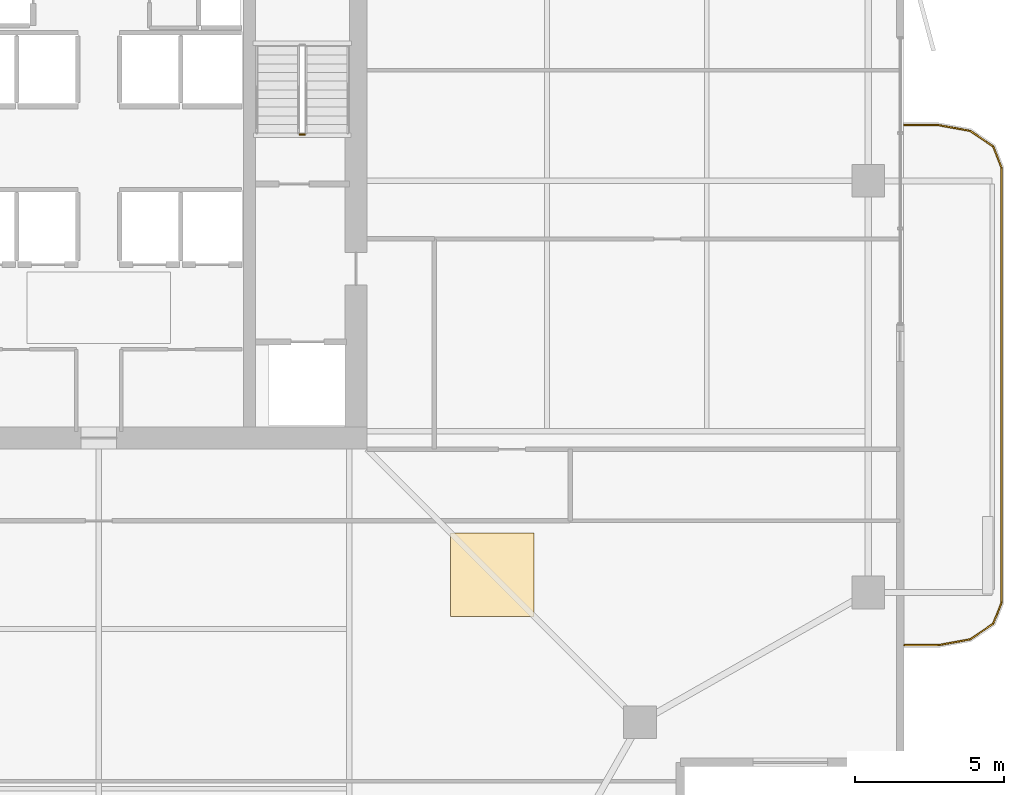
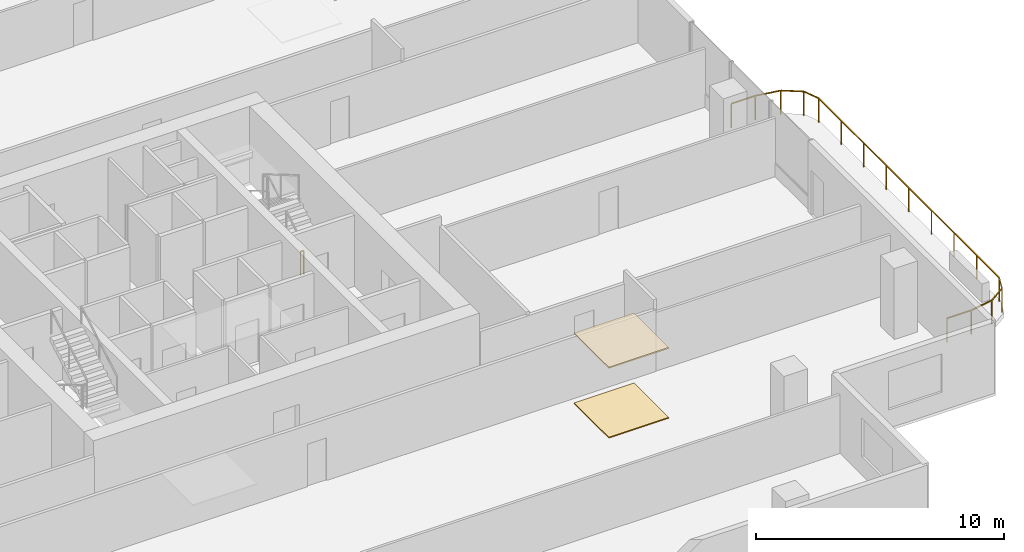
# One storey, part 22 of 24: 2 coverings, 2 railings.
"""IFC4 building model written with IfcOpenShell, lengths in metres."""

import ifcopenshell
import ifcopenshell.guid

model = None  # the IFC model being written
_history = None  # IfcOwnerHistory: only IFC2X3 demands one
_inside = {}  # id of a spatial element -> (the spatial element, [elements in it])
_under = {}  # id of a project, library or spatial element -> (it, [spatial elements below it])
_declared = {}  # id of a project -> (the project, [libraries it declares])
_typed = {}  # id of a type object -> (the type object, [elements of that type])
_made_of = {}  # id of a material, layer set ... -> (it, [elements and type objects made of it])


def new_model(schema):
    """Start an empty IFC model of exactly this schema.

    Asked for "IFC4X3", IfcOpenShell would pick the latest addendum, in which some entities
    have other attributes; the version numbers below select the first issue.
    IFC2X3 requires an IfcOwnerHistory on every rooted entity: one is made here for all.
    """
    global model, _history
    if schema == "IFC4X3":
        model = ifcopenshell.file(schema_version=(4, 3, 0, 0))
    else:
        model = ifcopenshell.file(schema=schema)
    _inside.clear()
    _under.clear()
    _declared.clear()
    _typed.clear()
    _made_of.clear()
    _history = None
    if model.schema == "IFC2X3":
        org = make("IfcOrganization", Name="unknown")
        user = make(
            "IfcPersonAndOrganization",
            ThePerson=make("IfcPerson", FamilyName="unknown"),
            TheOrganization=org,
        )
        app = make(
            "IfcApplication",
            ApplicationDeveloper=org,
            Version="unknown",
            ApplicationFullName="unknown",
            ApplicationIdentifier="unknown",
        )
        _history = make(
            "IfcOwnerHistory",
            OwningUser=user,
            OwningApplication=app,
            ChangeAction="ADDED",
            CreationDate=0,
        )
    return model


def make(cls, **values):
    """One entity of the class cls with the attributes given. An attribute that is None is left unset."""
    return model.create_entity(
        cls, **{name: value for name, value in values.items() if value is not None}
    )


def rooted(cls, **values):
    """An entity with a GlobalId (a new one), such as an element, a storey or a relation."""
    return make(cls, GlobalId=ifcopenshell.guid.new(), OwnerHistory=_history, **values)


def si_unit(unit_type, name, prefix=None):
    """IfcSIUnit, for example si_unit("LENGTHUNIT", "METRE", prefix="MILLI")."""
    return make("IfcSIUnit", UnitType=unit_type, Prefix=prefix, Name=name)


def assignment(units):
    """IfcUnitAssignment: the units of a project."""
    return None if units is None else make("IfcUnitAssignment", Units=units)


def point(xyz):
    """IfcCartesianPoint."""
    return None if xyz is None else make("IfcCartesianPoint", Coordinates=xyz)


def direction(xyz):
    """IfcDirection."""
    return None if xyz is None else make("IfcDirection", DirectionRatios=xyz)


def frame(location, z_axis=None, x_axis=None):
    """IfcAxis2Placement3D, a coordinate frame: its origin and axes. An axis left out is left unset."""
    return make(
        "IfcAxis2Placement3D",
        Location=point(location),
        Axis=direction(z_axis),
        RefDirection=direction(x_axis),
    )


def frame_2d(location, x_axis=None):
    """IfcAxis2Placement2D, a coordinate frame in the plane: its origin and x axis."""
    return make(
        "IfcAxis2Placement2D", Location=point(location), RefDirection=direction(x_axis)
    )


def origin():
    """The frame at (0, 0, 0) with its axes left unset."""
    return frame((0.0, 0.0, 0.0))


def origin_2d():
    """The frame at (0, 0) in the plane with its x axis left unset."""
    return frame_2d((0.0, 0.0))


def place(relative_to, where):
    """IfcLocalPlacement: puts the frame where relative to a parent placement (None: the world)."""
    return make(
        "IfcLocalPlacement", PlacementRelTo=relative_to, RelativePlacement=where
    )


def context(
    kind, dimensions, precision=None, world=None, true_north=None, identifier=None
):
    """IfcGeometricRepresentationContext, for example the 3D "Model" context."""
    return make(
        "IfcGeometricRepresentationContext",
        ContextIdentifier=identifier,
        ContextType=kind,
        CoordinateSpaceDimension=dimensions,
        Precision=precision,
        WorldCoordinateSystem=world,
        TrueNorth=true_north,
    )


def subcontext(parent, identifier, kind, view, scale=None):
    """IfcGeometricRepresentationSubContext, for example "Body" below "Model"."""
    return make(
        "IfcGeometricRepresentationSubContext",
        ContextIdentifier=identifier,
        ContextType=kind,
        ParentContext=parent,
        TargetScale=scale,
        TargetView=view,
    )


def project(units=None, contexts=None):
    """IfcProject with its units and contexts."""
    return rooted(
        "IfcProject",
        Name="project",
        RepresentationContexts=contexts,
        UnitsInContext=assignment(units),
    )


def spatial(cls, under=None, at=None, **own):
    """A site, building, storey or space (cls), placed at a placement, below another one or the project."""
    s = rooted(cls, ObjectPlacement=at, **own)
    if under is not None:
        _under.setdefault(under.id(), (under, []))[1].append(s)
    return s


def polyline(points):
    """IfcPolyline through the points."""
    return make("IfcPolyline", Points=[point(p) for p in points])


def profile(cls, at=None, kind="AREA", **sizes):
    """A parametric profile (cls). Its sizes go by their IFC names, for example OverallWidth=200.0."""
    return make(cls, ProfileType=kind, Position=at, **sizes)


def rectangle(**sizes):
    """IfcRectangleProfileDef."""
    return profile("IfcRectangleProfileDef", **sizes)


def outline(outer, holes=None, kind="AREA"):
    """IfcArbitraryClosedProfileDef: a profile drawn as a closed curve; with holes, ...WithVoids."""
    if holes is None:
        return make("IfcArbitraryClosedProfileDef", ProfileType=kind, OuterCurve=outer)
    return make(
        "IfcArbitraryProfileDefWithVoids",
        ProfileType=kind,
        OuterCurve=outer,
        InnerCurves=holes,
    )


def extrude(swept, where, along, depth):
    """IfcExtrudedAreaSolid: the profile swept, set in the frame where, extruded along a direction by depth."""
    return make(
        "IfcExtrudedAreaSolid",
        SweptArea=swept,
        Position=where,
        ExtrudedDirection=direction(along),
        Depth=depth,
    )


def shape(context_of_items, identifier, shape_type, items):
    """IfcShapeRepresentation: the items that make up one representation, for example the "Body"."""
    return make(
        "IfcShapeRepresentation",
        ContextOfItems=context_of_items,
        RepresentationIdentifier=identifier,
        RepresentationType=shape_type,
        Items=items,
    )


def material(Name=None, Category=None):
    """IfcMaterial."""
    return make("IfcMaterial", Name=Name, Category=Category)


def layer(
    of_material, thickness, ventilated=None, Name=None, Category=None, Priority=None
):
    """IfcMaterialLayer: one layer of a wall or slab, of a material (None: an air gap)."""
    return make(
        "IfcMaterialLayer",
        Material=of_material,
        LayerThickness=thickness,
        IsVentilated=ventilated,
        Name=Name,
        Category=Category,
        Priority=Priority,
    )


def layer_set(layers, Name=None):
    """IfcMaterialLayerSet."""
    return make("IfcMaterialLayerSet", MaterialLayers=layers, LayerSetName=Name)


def made_of(thing, what):
    """Note that an element or type object is made of a material, layer set ...; save() writes the relation."""
    if what is not None:
        _made_of.setdefault(what.id(), (what, []))[1].append(thing)
    return thing


def type_object(cls, material=None, **own):
    """A type object (cls), such as IfcWallType, which elements share."""
    return made_of(rooted(cls, **own), material)


def element(
    cls,
    number,
    at=None,
    inside=None,
    cuts=None,
    type_object=None,
    material=None,
    context=None,
    identifier="Body",
    shape_type=None,
    held_by="IfcProductDefinitionShape",
    body=None,
    shapes=None,
    **own,
):
    """One element of the class cls, such as IfcWall. Its Tag is "e" and its number.

    at: its placement. inside: the storey or other place that contains it. cuts: it is an
    opening in that element (IfcRelVoidsElement). A single representation is given by context,
    identifier, shape_type and body (its items); several are given by shapes. held_by: the class
    of the entity that holds the representations. save() writes the other relations.
    """
    e = rooted(cls, Tag="e%d" % number, ObjectPlacement=at, **own)
    if body is not None:
        shapes = [shape(context, identifier, shape_type, body)]
    if shapes is not None:
        e.Representation = make(held_by, Representations=shapes)
    if inside is not None:
        _inside.setdefault(inside.id(), (inside, []))[1].append(e)
    if cuts is not None:
        rooted(
            "IfcRelVoidsElement", RelatingBuildingElement=cuts, RelatedOpeningElement=e
        )
    if type_object is not None:
        _typed.setdefault(type_object.id(), (type_object, []))[1].append(e)
    return made_of(e, material)


def aggregate(whole, parts):
    """IfcRelAggregates: a whole, such as a stair, and the parts it consists of."""
    return rooted("IfcRelAggregates", RelatingObject=whole, RelatedObjects=parts)


def save(model, path):
    """Write the relations noted so far, then the file.

    IfcRelAggregates (storeys below a building ...), IfcRelContainedInSpatialStructure (elements
    in a storey), IfcRelDefinesByType, IfcRelAssociatesMaterial and IfcRelDeclares: one each for
    every whole, place, type object, material and project.
    """
    for whole, parts in _under.values():
        aggregate(whole, parts)
    for where, things in _inside.values():
        rooted(
            "IfcRelContainedInSpatialStructure",
            RelatedElements=things,
            RelatingStructure=where,
        )
    for kind, things in _typed.values():
        rooted("IfcRelDefinesByType", RelatedObjects=things, RelatingType=kind)
    for what, things in _made_of.values():
        rooted("IfcRelAssociatesMaterial", RelatedObjects=things, RelatingMaterial=what)
    for by, libraries in _declared.values():
        rooted("IfcRelDeclares", RelatingContext=by, RelatedDefinitions=libraries)
    model.write(path)


model = new_model("IFC4")

# Units and contexts
model_context = context("Model", 3, precision=1e-05, world=origin(), true_north=direction((0.0, 1.0)))
body_context = subcontext(model_context, "Body", "Model", "MODEL_VIEW")
ifc_project = project(units=[si_unit("LENGTHUNIT", "METRE"), si_unit("AREAUNIT", "SQUARE_METRE"), si_unit("VOLUMEUNIT", "CUBIC_METRE"), si_unit("PLANEANGLEUNIT", "RADIAN"), si_unit("MASSUNIT", "GRAM", prefix="KILO")], contexts=[model_context])

# Site, building, storey
site_placement = place(None, origin())
site = spatial("IfcSite", under=ifc_project, at=site_placement, CompositionType="ELEMENT")
building_placement = place(site_placement, origin())
building = spatial("IfcBuilding", under=site, at=building_placement, Name="Belovzor Exchange Tower", CompositionType="ELEMENT")
storey_placement = place(building_placement, frame((0.0, 0.0, 207.449951171875)))
storey = spatial("IfcBuildingStorey", under=building, at=storey_placement, Name="L51", CompositionType="ELEMENT", Elevation=207.449951171875)

# Railings
ifc_material_1 = material(Name="Stainless Steel and Laminated Safety Glass", Category="steel")
railing_type_1 = type_object("IfcRailingType", Name="Laminated Glass & Stainless Steel Balcony Balustrade 1200", PredefinedType="BALUSTRADE", material=ifc_material_1)
railing_1_placement = place(storey_placement, frame((55.81005859375, 13.22998046875, 0.0)))
element("IfcRailing", 1, at=railing_1_placement, inside=storey, type_object=railing_type_1, Name="GR-1 Balcony Balustrade L51 East", PredefinedType="BALUSTRADE", context=body_context, shape_type="SweptSolid", body=[
    extrude(rectangle(XDim=0.048095703125, YDim=0.048095703125, at=origin_2d()), frame((0.0, 0.0, 1.17578125), z_axis=(1.0, 0.0, 0.0), x_axis=(0.0, 1.0, 0.0)), (0.0, 0.0, 1.0), 1.133056640625),
    extrude(rectangle(XDim=0.048095703125, YDim=0.048095703125, at=origin_2d()), frame((1.133056640625, 0.0, 1.17578125), z_axis=(0.983644145941, 0.180122719713, 0.0), x_axis=(-0.180122719713, 0.983644145941, 0.0)), (0.0, 0.0, 1.0), 1.09375),
    extrude(rectangle(XDim=0.048095703125, YDim=0.048095703125, at=origin_2d()), frame((2.208984375, 0.197021484375, 1.17578125), z_axis=(0.826614792125, 0.562768145367, 0.0), x_axis=(-0.562768145367, 0.826614792125, 0.0)), (0.0, 0.0, 1.0), 0.9326171875),
    extrude(rectangle(XDim=0.048095703125, YDim=0.048095703125, at=origin_2d()), frame((2.97998046875, 0.721923828125, 1.17578125), z_axis=(0.365504480807, 0.930809580156, 0.0), x_axis=(-0.930809580156, 0.365504480807, 0.0)), (0.0, 0.0, 1.0), 0.76611328125),
    extrude(rectangle(XDim=0.048095703125, YDim=0.048095703125, at=origin_2d()), frame((3.260009765625, 1.43505859375, 1.17578125), z_axis=(0.0, 1.0, 0.0), x_axis=(-1.0, 0.0, 0.0)), (0.0, 0.0, 1.0), 14.570068359375),
    extrude(rectangle(XDim=0.048095703125, YDim=0.048095703125, at=origin_2d()), frame((3.260009765625, 16.005126953125, 1.17578125), z_axis=(-0.365612923861, 0.930766990125, 0.0), x_axis=(-0.930766990125, -0.365612923861, 0.0)), (0.0, 0.0, 1.0), 0.765869140625),
    extrude(rectangle(XDim=0.048095703125, YDim=0.048095703125, at=origin_2d()), frame((2.97998046875, 16.718017578125, 1.17578125), z_axis=(-0.826614792125, 0.562768145367, 0.0), x_axis=(-0.562768145367, -0.826614792125, 0.0)), (0.0, 0.0, 1.0), 0.9326171875),
    extrude(rectangle(XDim=0.048095703125, YDim=0.048095703125, at=origin_2d()), frame((2.208984375, 17.242919921875, 1.17578125), z_axis=(-0.983644145941, 0.180122719713, 0.0), x_axis=(-0.180122719713, -0.983644145941, 0.0)), (0.0, 0.0, 1.0), 1.09375),
    extrude(rectangle(XDim=0.048095703125, YDim=0.048095703125, at=origin_2d()), frame((1.133056640625, 17.43994140625, 1.17578125), z_axis=(-1.0, 0.0, 0.0), x_axis=(0.0, -1.0, 0.0)), (0.0, 0.0, 1.0), 1.133056640625),
    extrude(rectangle(XDim=0.0419921875, YDim=0.0419921875, at=origin_2d()), origin(), (0.0, 0.0, 1.0), 1.15185546875),
    extrude(rectangle(XDim=0.0419921875, YDim=0.0419921875, at=origin_2d()), frame((1.133056640625, 0.0, 0.0)), (0.0, 0.0, 1.0), 1.15185546875),
    extrude(rectangle(XDim=0.0419921875, YDim=0.0419921875, at=origin_2d()), frame((2.208984375, 0.197021484375, 0.0)), (0.0, 0.0, 1.0), 1.15185546875),
    extrude(rectangle(XDim=0.0419921875, YDim=0.0419921875, at=origin_2d()), frame((2.97998046875, 0.721923828125, 0.0)), (0.0, 0.0, 1.0), 1.15185546875),
    extrude(rectangle(XDim=0.0419921875, YDim=0.0419921875, at=origin_2d()), frame((3.260009765625, 1.43505859375, 0.0)), (0.0, 0.0, 1.0), 1.15185546875),
    extrude(rectangle(XDim=0.0419921875, YDim=0.0419921875, at=origin_2d()), frame((3.260009765625, 3.25634765625, 0.0)), (0.0, 0.0, 1.0), 1.15185546875),
    extrude(rectangle(XDim=0.0419921875, YDim=0.0419921875, at=origin_2d()), frame((3.260009765625, 5.07763671875, 0.0)), (0.0, 0.0, 1.0), 1.15185546875),
    extrude(rectangle(XDim=0.0419921875, YDim=0.0419921875, at=origin_2d()), frame((3.260009765625, 6.89892578125, 0.0)), (0.0, 0.0, 1.0), 1.15185546875),
    extrude(rectangle(XDim=0.0419921875, YDim=0.0419921875, at=origin_2d()), frame((3.260009765625, 8.72021484375, 0.0)), (0.0, 0.0, 1.0), 1.15185546875),
    extrude(rectangle(XDim=0.0419921875, YDim=0.0419921875, at=origin_2d()), frame((3.260009765625, 10.541259765625, 0.0)), (0.0, 0.0, 1.0), 1.15185546875),
    extrude(rectangle(XDim=0.0419921875, YDim=0.0419921875, at=origin_2d()), frame((3.260009765625, 12.362548828125, 0.0)), (0.0, 0.0, 1.0), 1.15185546875),
    extrude(rectangle(XDim=0.0419921875, YDim=0.0419921875, at=origin_2d()), frame((3.260009765625, 14.183837890625, 0.0)), (0.0, 0.0, 1.0), 1.15185546875),
    extrude(rectangle(XDim=0.0419921875, YDim=0.0419921875, at=origin_2d()), frame((3.260009765625, 16.005126953125, 0.0)), (0.0, 0.0, 1.0), 1.15185546875),
    extrude(rectangle(XDim=0.0419921875, YDim=0.0419921875, at=origin_2d()), frame((2.97998046875, 16.718017578125, 0.0)), (0.0, 0.0, 1.0), 1.15185546875),
    extrude(rectangle(XDim=0.0419921875, YDim=0.0419921875, at=origin_2d()), frame((2.208984375, 17.242919921875, 0.0)), (0.0, 0.0, 1.0), 1.15185546875),
    extrude(rectangle(XDim=0.0419921875, YDim=0.0419921875, at=origin_2d()), frame((1.133056640625, 17.43994140625, 0.0)), (0.0, 0.0, 1.0), 1.15185546875),
    extrude(rectangle(XDim=0.0419921875, YDim=0.0419921875, at=origin_2d()), frame((0.0, 17.43994140625, 0.0)), (0.0, 0.0, 1.0), 1.15185546875),
])
ifc_material_2 = material(Name="Steel S355", Category="steel")
railing_type_2 = type_object("IfcRailingType", Name="Painted Steel Stairwell Guardrail 1200", PredefinedType="GUARDRAIL", material=ifc_material_2)
railing_2_placement = place(storey_placement, frame((35.699951171875, 30.35009765625, 0.0)))
element("IfcRailing", 2, at=railing_2_placement, inside=storey, type_object=railing_type_2, Name="L51 ST-2 stair guard 4", PredefinedType="GUARDRAIL", context=body_context, shape_type="SweptSolid", body=[
    extrude(rectangle(XDim=0.048095703125, YDim=0.048095703125, at=origin_2d()), frame((0.0, 0.0, 1.17578125), z_axis=(-1.0, 0.0, 0.0), x_axis=(0.0, -1.0, 0.0)), (0.0, 0.0, 1.0), 0.14990234375),
    extrude(rectangle(XDim=0.0419921875, YDim=0.0419921875, at=origin_2d()), origin(), (0.0, 0.0, 1.0), 1.15185546875),
    extrude(rectangle(XDim=0.0419921875, YDim=0.0419921875, at=origin_2d()), frame((-0.14990234375, 0.0, 0.0)), (0.0, 0.0, 1.0), 1.15185546875),
])

# Coverings
ifc_material_3 = material(Name="Perforated Powder-Coated Aluminium", Category="aluminium")
ifc_layer_1 = layer(ifc_material_3, 0.06005859375)
ifc_layer_set_1 = layer_set([ifc_layer_1], Name="Perforated Powder-Coated Aluminium")
covering_type_1 = type_object("IfcCoveringType", Name="Perforated Acoustic Metal Tile Suspended Ceiling 60", PredefinedType="CEILING", material=ifc_layer_set_1)
covering_1_placement = place(storey_placement, frame((0.0, 0.0, 3.43994140625)))
element("IfcCovering", 3, at=covering_1_placement, inside=storey, type_object=covering_type_1, Name="CLG-AC60 Suspended Ceiling CLG-L51-Z1", PredefinedType="CEILING", context=body_context, shape_type="SweptSolid", body=[
    extrude(outline(polyline([(40.60009765625, 14.199951171875), (43.39990234375, 14.199951171875), (43.39990234375, 17.0), (40.60009765625, 17.0), (40.60009765625, 14.199951171875)])), origin(), (0.0, 0.0, 1.0), 0.06005859375),
])
ifc_material_4 = material(Name="Polished Natural Granite Tile", Category="masonry")
ifc_layer_2 = layer(ifc_material_4, 0.050048828125)
ifc_layer_set_2 = layer_set([ifc_layer_2], Name="Polished Natural Granite Tile")
covering_type_2 = type_object("IfcCoveringType", Name="Polished Karelian Granite & Raised Access Floor Finish 50", PredefinedType="FLOORING", material=ifc_layer_set_2)
covering_2_placement = place(storey_placement, origin())
element("IfcCovering", 4, at=covering_2_placement, inside=storey, type_object=covering_type_2, Name="FLR-GR50 Floor Finish FLR-L51-Z1", PredefinedType="FLOORING", context=body_context, shape_type="SweptSolid", body=[
    extrude(outline(polyline([(40.60009765625, 14.199951171875), (43.39990234375, 14.199951171875), (43.39990234375, 17.0), (40.60009765625, 17.0), (40.60009765625, 14.199951171875)])), origin(), (0.0, 0.0, 1.0), 0.050048828125),
])

save(model, "model.ifc")
